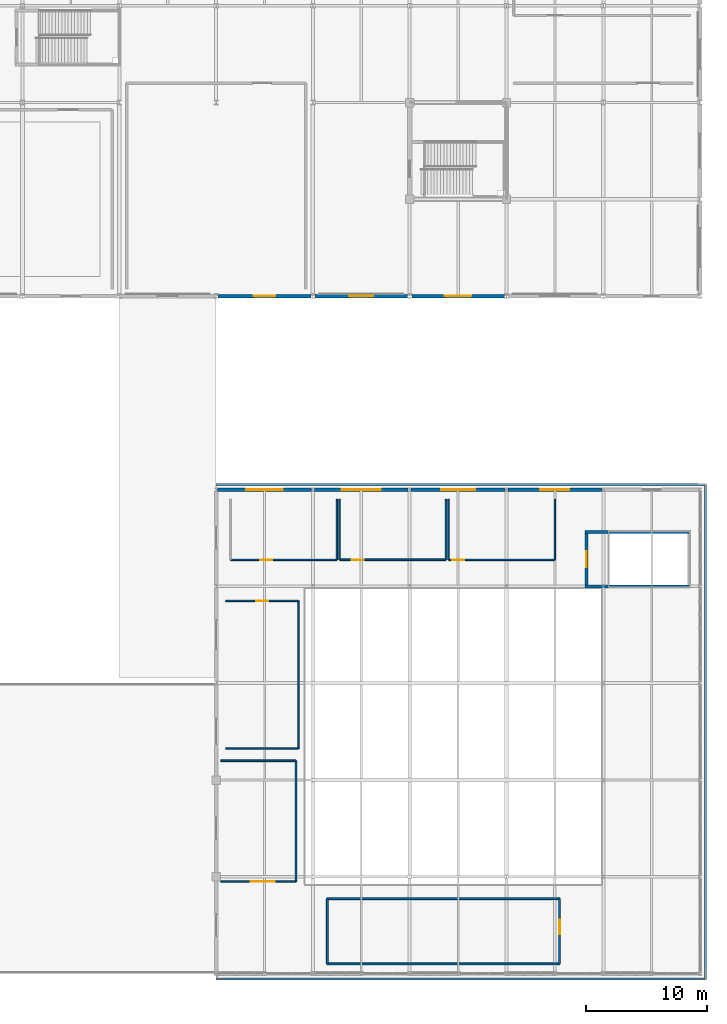
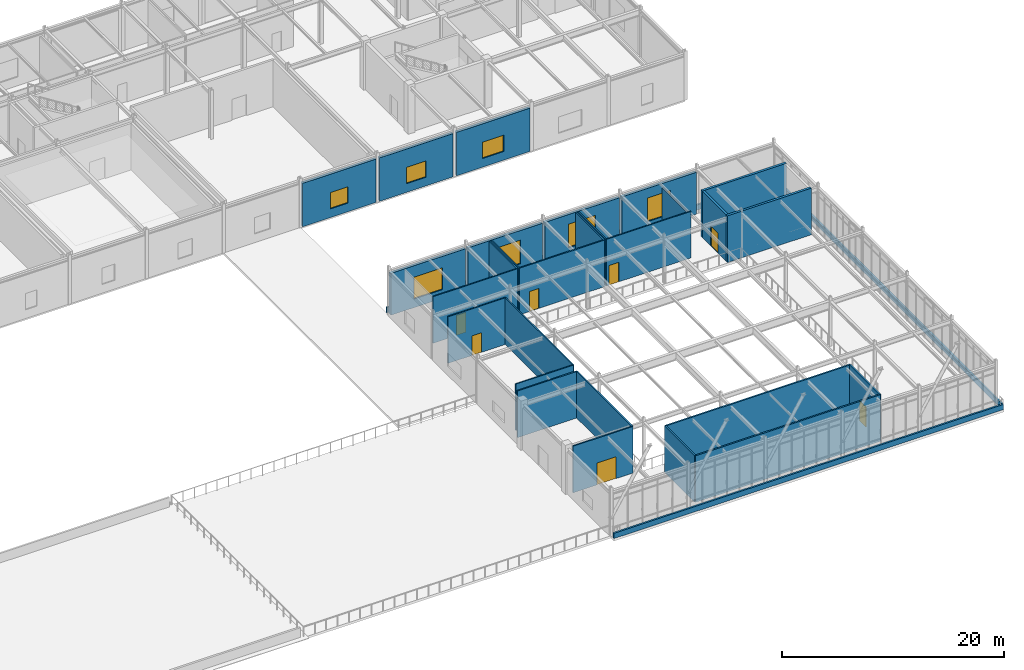
# One storey, part 94 of 108: 31 walls, 7 doors, 7 windows, 14 openings.
"""IFC4 building model written with IfcOpenShell, lengths in metres."""

from ifc_helpers import new_model, si_unit, direction, frame, frame_2d, origin, place, context, subcontext, project, spatial, rectangle, extrude, material, layer, layer_set, type_object, element, fill, save


model = new_model("IFC4")

# Units and contexts
model_context = context("Model", 3, precision=1e-05, world=origin(), true_north=direction((0.0, 1.0)))
body_context = subcontext(model_context, "Body", "Model", "MODEL_VIEW")
ifc_project = project(units=[si_unit("LENGTHUNIT", "METRE"), si_unit("AREAUNIT", "SQUARE_METRE"), si_unit("VOLUMEUNIT", "CUBIC_METRE"), si_unit("PLANEANGLEUNIT", "RADIAN"), si_unit("MASSUNIT", "GRAM", prefix="KILO")], contexts=[model_context])

# Site, building, storey
site_placement = place(None, origin())
site = spatial("IfcSite", under=ifc_project, at=site_placement, CompositionType="ELEMENT")
building_placement = place(site_placement, origin())
building = spatial("IfcBuilding", under=site, at=building_placement, Name="Zhaolan Boulevard Law Courts", CompositionType="ELEMENT")
storey_placement = place(building_placement, frame((0.0, 0.0, 10.800048828125)))
storey = spatial("IfcBuildingStorey", under=building, at=storey_placement, Name="L02", CompositionType="ELEMENT", Elevation=10.800048828125)

# Walls
ifc_material_1 = material(Name="Concrete C40", Category="concrete")
ifc_layer_1 = layer(ifc_material_1, 0.179931640625)
ifc_layer_set_1 = layer_set([ifc_layer_1])
wall_type_1 = type_object("IfcWallType", Name="EXT WALL ARCH CLAD180", PredefinedType="SOLIDWALL", material=ifc_layer_set_1)
wall_1_placement = place(storey_placement, frame((124.0, 5.56005859375, 0.0), z_axis=(0.0, 0.0, 1.0), x_axis=(1.0, 0.0, 0.0)))
element("IfcWall", 1, at=wall_1_placement, inside=storey, type_object=wall_type_1, Name="Architectural Concrete Spandrel Band CBW-003", PredefinedType="SOLIDWALL", context=body_context, shape_type="SweptSolid", body=[
    extrude(rectangle(XDim=40.43994140625, YDim=0.179931640625, at=frame_2d((20.219970703125, 0.0))), origin(), (0.0, 0.0, 1.0), 0.579833984375),
])
wall_2_placement = place(storey_placement, frame((164.43994140625, 5.56005859375, 0.0), z_axis=(0.0, 0.0, 1.0), x_axis=(0.0, 1.0, 0.0)))
element("IfcWall", 2, at=wall_2_placement, inside=storey, type_object=wall_type_1, Name="Architectural Concrete Spandrel Band CBW-006", PredefinedType="SOLIDWALL", context=body_context, shape_type="SweptSolid", body=[
    extrude(rectangle(XDim=40.8798828125, YDim=0.179931640625, at=frame_2d((20.43994140625, 0.0))), origin(), (0.0, 0.0, 1.0), 0.579833984375),
])
wall_3_placement = place(storey_placement, frame((164.43994140625, 46.43994140625, 0.0), z_axis=(0.0, 0.0, 1.0), x_axis=(-1.0, 0.0, 0.0)))
element("IfcWall", 3, at=wall_3_placement, inside=storey, type_object=wall_type_1, Name="Architectural Concrete Spandrel Band CBW-009", PredefinedType="SOLIDWALL", context=body_context, shape_type="SweptSolid", body=[
    extrude(rectangle(XDim=40.43994140625, YDim=0.179931640625, at=frame_2d((20.219970703125, 0.0))), origin(), (0.0, 0.0, 1.0), 0.579833984375),
])

# Wall, opening, window
ifc_material_2 = material(Name="Concrete C40", Category="concrete")
ifc_layer_2 = layer(ifc_material_2, 0.300048828125)
ifc_layer_set_2 = layer_set([ifc_layer_2])
wall_type_2 = type_object("IfcWallType", Name="EXT WALL CONCRETE300", PredefinedType="SOLIDWALL", material=ifc_layer_set_2)
wall_4_placement = place(storey_placement, frame((131.87890625, 46.0, 0.0), z_axis=(0.0, 0.0, 1.0), x_axis=(-1.0, 0.0, 0.0)))
wall_4 = element("IfcWall", 4, at=wall_4_placement, inside=storey, type_object=wall_type_2, Name="Exterior Wall EW-L02-163", PredefinedType="SOLIDWALL", context=body_context, shape_type="SweptSolid", body=[
    extrude(rectangle(XDim=7.7578125, YDim=0.300048828125, at=frame_2d((3.87890625, 0.0))), origin(), (0.0, 0.0, 1.0), 4.60302734375),
])
opening_1_placement = place(wall_4_placement, frame((2.37890625, 0.0, 0.949951171875)))
opening_1 = element("IfcOpeningElement", 5, at=opening_1_placement, cuts=wall_4, Name="Opening WIN-L02-024", PredefinedType="OPENING", context=body_context, shape_type="SweptSolid", body=[
    extrude(rectangle(XDim=3.0, YDim=2.39990234375, at=frame_2d((1.5, 1.199951171875))), frame((0.0, 0.159912109375, 0.0), z_axis=(0.0, -1.0, 0.0), x_axis=(1.0, 0.0, 0.0)), (0.0, 0.0, 1.0), 0.320068359375),
])
ifc_material_3 = material(Name="Thermally broken aluminium and low-E glazing", Category="aluminium")
window_type_1 = type_object("IfcWindowType", Name="WINDOW 3000X2400", PartitioningType="DOUBLE_PANEL_VERTICAL", PredefinedType="WINDOW", material=ifc_material_3)
window_1_placement = place(opening_1_placement, origin())
window_1 = element("IfcWindow", 6, at=window_1_placement, inside=storey, type_object=window_type_1, Name="Exterior Window WIN-L02-024", OverallHeight=2.39990234375, OverallWidth=3.0, PartitioningType="SINGLE_PANEL", PredefinedType="WINDOW", context=body_context, shape_type="SweptSolid", body=[
    extrude(rectangle(XDim=3.0, YDim=2.39990234375, at=frame_2d((1.5, 1.199951171875))), frame((0.0, 0.030029296875, 0.0), z_axis=(0.0, -1.0, 0.0), x_axis=(1.0, 0.0, 0.0)), (0.0, 0.0, 1.0), 0.06005859375),
])
fill(opening_1, window_1)

wall_5_placement = place(storey_placement, frame((139.87890625, 46.0, 0.0), z_axis=(0.0, 0.0, 1.0), x_axis=(-1.0, 0.0, 0.0)))
wall_5 = element("IfcWall", 7, at=wall_5_placement, inside=storey, type_object=wall_type_2, Name="Exterior Wall EW-L02-164", PredefinedType="SOLIDWALL", context=body_context, shape_type="SweptSolid", body=[
    extrude(rectangle(XDim=7.7578125, YDim=0.300048828125, at=frame_2d((3.87890625, 0.0))), origin(), (0.0, 0.0, 1.0), 4.60302734375),
])
opening_2_placement = place(wall_5_placement, frame((2.279052734375, 0.0, 0.949951171875)))
opening_2 = element("IfcOpeningElement", 8, at=opening_2_placement, cuts=wall_5, Name="Opening WIN-L02-025", PredefinedType="OPENING", context=body_context, shape_type="SweptSolid", body=[
    extrude(rectangle(XDim=3.199951171875, YDim=2.60009765625, at=frame_2d((1.60009765625, 1.300048828125))), frame((0.0, 0.159912109375, 0.0), z_axis=(0.0, -1.0, 0.0), x_axis=(1.0, 0.0, 0.0)), (0.0, 0.0, 1.0), 0.320068359375),
])
ifc_material_4 = material(Name="Thermally broken aluminium and low-E glazing", Category="aluminium")
window_type_2 = type_object("IfcWindowType", Name="WINDOW 3200X2600", PartitioningType="DOUBLE_PANEL_VERTICAL", PredefinedType="WINDOW", material=ifc_material_4)
window_2_placement = place(opening_2_placement, origin())
window_2 = element("IfcWindow", 9, at=window_2_placement, inside=storey, type_object=window_type_2, Name="Exterior Window WIN-L02-025", OverallHeight=2.60009765625, OverallWidth=3.199951171875, PartitioningType="SINGLE_PANEL", PredefinedType="WINDOW", context=body_context, shape_type="SweptSolid", body=[
    extrude(rectangle(XDim=3.199951171875, YDim=2.60009765625, at=frame_2d((1.60009765625, 1.300048828125))), frame((0.0, 0.030029296875, 0.0), z_axis=(0.0, -1.0, 0.0), x_axis=(1.0, 0.0, 0.0)), (0.0, 0.0, 1.0), 0.06005859375),
])
fill(opening_2, window_2)

wall_6_placement = place(storey_placement, frame((147.87890625, 46.0, 0.0), z_axis=(0.0, 0.0, 1.0), x_axis=(-1.0, 0.0, 0.0)))
wall_6 = element("IfcWall", 10, at=wall_6_placement, inside=storey, type_object=wall_type_2, Name="Exterior Wall EW-L02-165", PredefinedType="SOLIDWALL", context=body_context, shape_type="SweptSolid", body=[
    extrude(rectangle(XDim=7.7578125, YDim=0.300048828125, at=frame_2d((3.87890625, 0.0))), origin(), (0.0, 0.0, 1.0), 4.60302734375),
])
opening_3_placement = place(wall_6_placement, frame((2.47900390625, 0.0, 0.949951171875)))
opening_3 = element("IfcOpeningElement", 11, at=opening_3_placement, cuts=wall_6, Name="Opening WIN-L02-026", PredefinedType="OPENING", context=body_context, shape_type="SweptSolid", body=[
    extrude(rectangle(XDim=2.800048828125, YDim=2.60009765625, at=frame_2d((1.39990234375, 1.300048828125))), frame((0.0, 0.159912109375, 0.0), z_axis=(0.0, -1.0, 0.0), x_axis=(1.0, 0.0, 0.0)), (0.0, 0.0, 1.0), 0.320068359375),
])
ifc_material_5 = material(Name="Thermally broken aluminium and low-E glazing", Category="aluminium")
window_type_3 = type_object("IfcWindowType", Name="WINDOW 2800X2600", PartitioningType="DOUBLE_PANEL_VERTICAL", PredefinedType="WINDOW", material=ifc_material_5)
window_3_placement = place(opening_3_placement, origin())
window_3 = element("IfcWindow", 12, at=window_3_placement, inside=storey, type_object=window_type_3, Name="Exterior Window WIN-L02-026", OverallHeight=2.60009765625, OverallWidth=2.800048828125, PartitioningType="SINGLE_PANEL", PredefinedType="WINDOW", context=body_context, shape_type="SweptSolid", body=[
    extrude(rectangle(XDim=2.800048828125, YDim=2.60009765625, at=frame_2d((1.39990234375, 1.300048828125))), frame((0.0, 0.030029296875, 0.0), z_axis=(0.0, -1.0, 0.0), x_axis=(1.0, 0.0, 0.0)), (0.0, 0.0, 1.0), 0.06005859375),
])
fill(opening_3, window_3)

wall_7_placement = place(storey_placement, frame((155.87890625, 46.0, 0.0), z_axis=(0.0, 0.0, 1.0), x_axis=(-1.0, 0.0, 0.0)))
wall_7 = element("IfcWall", 13, at=wall_7_placement, inside=storey, type_object=wall_type_2, Name="Exterior Wall EW-L02-166", PredefinedType="SOLIDWALL", context=body_context, shape_type="SweptSolid", body=[
    extrude(rectangle(XDim=7.7578125, YDim=0.300048828125, at=frame_2d((3.87890625, 0.0))), origin(), (0.0, 0.0, 1.0), 4.60302734375),
])
opening_4_placement = place(wall_7_placement, frame((2.678955078125, 0.0, 0.949951171875)))
opening_4 = element("IfcOpeningElement", 14, at=opening_4_placement, cuts=wall_7, Name="Opening WIN-L02-027", PredefinedType="OPENING", context=body_context, shape_type="SweptSolid", body=[
    extrude(rectangle(XDim=2.39990234375, YDim=2.60009765625, at=frame_2d((1.199951171875, 1.300048828125))), frame((0.0, 0.159912109375, 0.0), z_axis=(0.0, -1.0, 0.0), x_axis=(1.0, 0.0, 0.0)), (0.0, 0.0, 1.0), 0.320068359375),
])
ifc_material_6 = material(Name="Thermally broken aluminium and low-E glazing", Category="aluminium")
window_type_4 = type_object("IfcWindowType", Name="WINDOW 2400X2600", PartitioningType="DOUBLE_PANEL_VERTICAL", PredefinedType="WINDOW", material=ifc_material_6)
window_4_placement = place(opening_4_placement, origin())
window_4 = element("IfcWindow", 15, at=window_4_placement, inside=storey, type_object=window_type_4, Name="Exterior Window WIN-L02-027", OverallHeight=2.60009765625, OverallWidth=2.39990234375, PartitioningType="SINGLE_PANEL", PredefinedType="WINDOW", context=body_context, shape_type="SweptSolid", body=[
    extrude(rectangle(XDim=2.39990234375, YDim=2.60009765625, at=frame_2d((1.199951171875, 1.300048828125))), frame((0.0, 0.030029296875, 0.0), z_axis=(0.0, -1.0, 0.0), x_axis=(1.0, 0.0, 0.0)), (0.0, 0.0, 1.0), 0.06005859375),
])
fill(opening_4, window_4)

wall_8_placement = place(storey_placement, frame((124.1708984375, 62.0, 0.0), z_axis=(0.0, 0.0, 1.0), x_axis=(1.0, 0.0, 0.0)))
wall_8 = element("IfcWall", 16, at=wall_8_placement, inside=storey, type_object=wall_type_2, Name="Exterior Wall EW-L02-245", PredefinedType="SOLIDWALL", context=body_context, shape_type="SweptSolid", body=[
    extrude(rectangle(XDim=7.658203125, YDim=0.300048828125, at=frame_2d((3.8291015625, 0.0))), origin(), (0.0, 0.0, 1.0), 4.762939453125),
])
opening_5_placement = place(wall_8_placement, frame((2.928955078125, 0.0, 0.949951171875)))
opening_5 = element("IfcOpeningElement", 17, at=opening_5_placement, cuts=wall_8, Name="Opening WIN-L02-102", PredefinedType="OPENING", context=body_context, shape_type="SweptSolid", body=[
    extrude(rectangle(XDim=1.800048828125, YDim=1.800048828125, at=frame_2d((0.89990234375, 0.89990234375))), frame((0.0, 0.159912109375, 0.0), z_axis=(0.0, -1.0, 0.0), x_axis=(1.0, 0.0, 0.0)), (0.0, 0.0, 1.0), 0.320068359375),
])
ifc_material_7 = material(Name="Thermally broken aluminium and low-E glazing", Category="aluminium")
window_type_5 = type_object("IfcWindowType", Name="WINDOW 1800X1800", PartitioningType="DOUBLE_PANEL_VERTICAL", PredefinedType="WINDOW", material=ifc_material_7)
window_5_placement = place(opening_5_placement, origin())
window_5 = element("IfcWindow", 18, at=window_5_placement, inside=storey, type_object=window_type_5, Name="Exterior Window WIN-L02-102", OverallHeight=1.800048828125, OverallWidth=1.800048828125, PartitioningType="SINGLE_PANEL", PredefinedType="WINDOW", context=body_context, shape_type="SweptSolid", body=[
    extrude(rectangle(XDim=1.800048828125, YDim=1.800048828125, at=frame_2d((0.89990234375, 0.89990234375))), frame((0.0, 0.030029296875, 0.0), z_axis=(0.0, -1.0, 0.0), x_axis=(1.0, 0.0, 0.0)), (0.0, 0.0, 1.0), 0.06005859375),
])
fill(opening_5, window_5)

wall_9_placement = place(storey_placement, frame((132.1708984375, 62.0, 0.0), z_axis=(0.0, 0.0, 1.0), x_axis=(1.0, 0.0, 0.0)))
wall_9 = element("IfcWall", 19, at=wall_9_placement, inside=storey, type_object=wall_type_2, Name="Exterior Wall EW-L02-246", PredefinedType="SOLIDWALL", context=body_context, shape_type="SweptSolid", body=[
    extrude(rectangle(XDim=7.658203125, YDim=0.300048828125, at=frame_2d((3.8291015625, 0.0))), origin(), (0.0, 0.0, 1.0), 4.762939453125),
])
opening_6_placement = place(wall_9_placement, frame((2.8291015625, 0.0, 0.949951171875)))
opening_6 = element("IfcOpeningElement", 20, at=opening_6_placement, cuts=wall_9, Name="Opening WIN-L02-103", PredefinedType="OPENING", context=body_context, shape_type="SweptSolid", body=[
    extrude(rectangle(XDim=2.0, YDim=1.800048828125, at=frame_2d((1.0, 0.89990234375))), frame((0.0, 0.159912109375, 0.0), z_axis=(0.0, -1.0, 0.0), x_axis=(1.0, 0.0, 0.0)), (0.0, 0.0, 1.0), 0.320068359375),
])
ifc_material_8 = material(Name="Thermally broken aluminium and low-E glazing", Category="aluminium")
window_type_6 = type_object("IfcWindowType", Name="WINDOW 2000X1800", PartitioningType="DOUBLE_PANEL_VERTICAL", PredefinedType="WINDOW", material=ifc_material_8)
window_6_placement = place(opening_6_placement, origin())
window_6 = element("IfcWindow", 21, at=window_6_placement, inside=storey, type_object=window_type_6, Name="Exterior Window WIN-L02-103", OverallHeight=1.800048828125, OverallWidth=2.0, PartitioningType="SINGLE_PANEL", PredefinedType="WINDOW", context=body_context, shape_type="SweptSolid", body=[
    extrude(rectangle(XDim=2.0, YDim=1.800048828125, at=frame_2d((1.0, 0.89990234375))), frame((0.0, 0.030029296875, 0.0), z_axis=(0.0, -1.0, 0.0), x_axis=(1.0, 0.0, 0.0)), (0.0, 0.0, 1.0), 0.06005859375),
])
fill(opening_6, window_6)

wall_10_placement = place(storey_placement, frame((140.1708984375, 62.0, 0.0), z_axis=(0.0, 0.0, 1.0), x_axis=(1.0, 0.0, 0.0)))
wall_10 = element("IfcWall", 22, at=wall_10_placement, inside=storey, type_object=wall_type_2, Name="Exterior Wall EW-L02-247", PredefinedType="SOLIDWALL", context=body_context, shape_type="SweptSolid", body=[
    extrude(rectangle(XDim=7.658203125, YDim=0.300048828125, at=frame_2d((3.8291015625, 0.0))), origin(), (0.0, 0.0, 1.0), 4.762939453125),
])
opening_7_placement = place(wall_10_placement, frame((2.72900390625, 0.0, 0.949951171875)))
opening_7 = element("IfcOpeningElement", 23, at=opening_7_placement, cuts=wall_10, Name="Opening WIN-L02-104", PredefinedType="OPENING", context=body_context, shape_type="SweptSolid", body=[
    extrude(rectangle(XDim=2.199951171875, YDim=1.800048828125, at=frame_2d((1.10009765625, 0.89990234375))), frame((0.0, 0.159912109375, 0.0), z_axis=(0.0, -1.0, 0.0), x_axis=(1.0, 0.0, 0.0)), (0.0, 0.0, 1.0), 0.320068359375),
])
ifc_material_9 = material(Name="Thermally broken aluminium and low-E glazing", Category="aluminium")
window_type_7 = type_object("IfcWindowType", Name="WINDOW 2200X1800", PartitioningType="DOUBLE_PANEL_VERTICAL", PredefinedType="WINDOW", material=ifc_material_9)
window_7_placement = place(opening_7_placement, origin())
window_7 = element("IfcWindow", 24, at=window_7_placement, inside=storey, type_object=window_type_7, Name="Exterior Window WIN-L02-104", OverallHeight=1.800048828125, OverallWidth=2.199951171875, PartitioningType="SINGLE_PANEL", PredefinedType="WINDOW", context=body_context, shape_type="SweptSolid", body=[
    extrude(rectangle(XDim=2.199951171875, YDim=1.800048828125, at=frame_2d((1.10009765625, 0.89990234375))), frame((0.0, 0.030029296875, 0.0), z_axis=(0.0, -1.0, 0.0), x_axis=(1.0, 0.0, 0.0)), (0.0, 0.0, 1.0), 0.06005859375),
])
fill(opening_7, window_7)

# Walls
ifc_material_10 = material(Name="Fire-rated gypsum stud partition")
ifc_layer_3 = layer(ifc_material_10, 0.159912109375)
ifc_layer_set_3 = layer_set([ifc_layer_3])
wall_type_3 = type_object("IfcWallType", Name="PART WALL CHAMB160", PredefinedType="PARTITIONING", material=ifc_layer_set_3)
for number, where, z_axis, x_axis, name in (
    (25, (133.199951171875, 6.800048828125, 0.0), (0.0, 0.0, 1.0), (1.0, 0.0, 0.0), "Interior Partition PW-L02-436"),
    (26, (152.39990234375, 12.199951171875, 0.0), (0.0, 0.0, 1.0), (-1.0, 0.0, 0.0), "Interior Partition PW-L02-437"),
):
    element("IfcWall", number, at=place(storey_placement, frame(where, z_axis=z_axis, x_axis=x_axis)), inside=storey, type_object=wall_type_3, Name=name, PredefinedType="PARTITIONING", context=body_context, shape_type="SweptSolid", body=[
        extrude(rectangle(XDim=19.199951171875, YDim=0.159912109375, at=frame_2d((9.60009765625, 0.0))), origin(), (0.0, 0.0, 1.0), 5.119873046875),
    ])
wall_11_placement = place(storey_placement, frame((133.199951171875, 12.199951171875, 0.0), z_axis=(0.0, 0.0, 1.0), x_axis=(0.0, -1.0, 0.0)))
element("IfcWall", 27, at=wall_11_placement, inside=storey, type_object=wall_type_3, Name="Interior Partition PW-L02-438", PredefinedType="PARTITIONING", context=body_context, shape_type="SweptSolid", body=[
    extrude(rectangle(XDim=5.39990234375, YDim=0.159912109375, at=frame_2d((2.699951171875, 0.0))), origin(), (0.0, 0.0, 1.0), 5.119873046875),
])

# Wall, opening, door
wall_12_placement = place(storey_placement, frame((152.39990234375, 6.800048828125, 0.0), z_axis=(0.0, 0.0, 1.0), x_axis=(0.0, 1.0, 0.0)))
wall_12 = element("IfcWall", 28, at=wall_12_placement, inside=storey, type_object=wall_type_3, Name="Interior Partition PW-L02-439", PredefinedType="PARTITIONING", context=body_context, shape_type="SweptSolid", body=[
    extrude(rectangle(XDim=5.39990234375, YDim=0.159912109375, at=frame_2d((2.699951171875, 0.0))), origin(), (0.0, 0.0, 1.0), 5.119873046875),
])
opening_8_placement = place(wall_12_placement, frame((2.4599609375, 0.0, 0.0)))
opening_8 = element("IfcOpeningElement", 29, at=opening_8_placement, cuts=wall_12, Name="Opening MD-L02-135", PredefinedType="OPENING", context=body_context, shape_type="SweptSolid", body=[
    extrude(rectangle(XDim=1.199951171875, YDim=2.199951171875, at=frame_2d((0.60009765625, 1.10009765625))), frame((0.0, 0.08984375, 0.0), z_axis=(0.0, -1.0, 0.0), x_axis=(1.0, 0.0, 0.0)), (0.0, 0.0, 1.0), 0.179931640625),
])
ifc_material_11 = material(Name="Solid-core acoustic oak veneer door")
door_type_1 = type_object("IfcDoorType", Name="MED DOOR 1200X2200 L", OperationType="SINGLE_SWING_LEFT", PredefinedType="DOOR", material=ifc_material_11)
door_1_placement = place(opening_8_placement, origin())
door_1 = element("IfcDoor", 30, at=door_1_placement, inside=storey, type_object=door_type_1, Name="Door MD-L02-135 (Ceremonial Interpretation Room)", OperationType="SINGLE_SWING_LEFT", OverallHeight=2.199951171875, OverallWidth=1.199951171875, PredefinedType="DOOR", context=body_context, shape_type="SweptSolid", body=[
    extrude(rectangle(XDim=1.199951171875, YDim=2.199951171875, at=frame_2d((0.60009765625, 1.10009765625))), frame((0.0, 0.02490234375, 0.0), z_axis=(0.0, -1.0, 0.0), x_axis=(1.0, 0.0, 0.0)), (0.0, 0.0, 1.0), 0.050048828125),
])
fill(opening_8, door_1)

ifc_material_12 = material(Name="Gypsum board stud partition")
ifc_layer_4 = layer(ifc_material_12, 0.1201171875)
ifc_layer_set_4 = layer_set([ifc_layer_4])
wall_type_4 = type_object("IfcWallType", Name="PART WALL LIGHT120", PredefinedType="PARTITIONING", material=ifc_layer_set_4)
wall_13_placement = place(storey_placement, frame((125.199951171875, 40.199951171875, 0.0), z_axis=(0.0, 0.0, 1.0), x_axis=(1.0, 0.0, 0.0)))
wall_13 = element("IfcWall", 31, at=wall_13_placement, inside=storey, type_object=wall_type_4, Name="Interior Partition PW-L02-440", PredefinedType="PARTITIONING", context=body_context, shape_type="SweptSolid", body=[
    extrude(rectangle(XDim=8.787109375, YDim=0.1201171875, at=frame_2d((4.3935546875, 0.0))), origin(), (0.0, 0.0, 1.0), 5.119873046875),
])
opening_9_placement = place(wall_13_placement, frame((2.4560546875, 0.0, 0.0)))
opening_9 = element("IfcOpeningElement", 32, at=opening_9_placement, cuts=wall_13, Name="Opening JD-L02-136", PredefinedType="OPENING", context=body_context, shape_type="SweptSolid", body=[
    extrude(rectangle(XDim=1.0, YDim=2.199951171875, at=frame_2d((0.5, 1.10009765625))), frame((0.0, 0.070068359375, 0.0), z_axis=(0.0, -1.0, 0.0), x_axis=(1.0, 0.0, 0.0)), (0.0, 0.0, 1.0), 0.14013671875),
])
ifc_material_13 = material(Name="Solid-core acoustic oak veneer door")
door_type_2 = type_object("IfcDoorType", Name="CHAMBER DOOR 1000X2200 L", OperationType="SINGLE_SWING_LEFT", PredefinedType="DOOR", material=ifc_material_13)
door_2_placement = place(opening_9_placement, origin())
door_2 = element("IfcDoor", 33, at=door_2_placement, inside=storey, type_object=door_type_2, Name="Door JD-L02-136 (Judges' Chambers L02-01)", OperationType="SINGLE_SWING_LEFT", OverallHeight=2.199951171875, OverallWidth=1.0, PredefinedType="DOOR", context=body_context, shape_type="SweptSolid", body=[
    extrude(rectangle(XDim=1.0, YDim=2.199951171875, at=frame_2d((0.5, 1.10009765625))), frame((0.0, 0.02490234375, 0.0), z_axis=(0.0, -1.0, 0.0), x_axis=(1.0, 0.0, 0.0)), (0.0, 0.0, 1.0), 0.050048828125),
])
fill(opening_9, door_2)

# Wall
wall_14_placement = place(storey_placement, frame((133.987060546875, 40.199951171875, 0.0), z_axis=(0.0, 0.0, 1.0), x_axis=(0.0, 1.0, 0.0)))
element("IfcWall", 34, at=wall_14_placement, inside=storey, type_object=wall_type_4, Name="Interior Partition PW-L02-442", PredefinedType="PARTITIONING", context=body_context, shape_type="SweptSolid", body=[
    extrude(rectangle(XDim=5.0, YDim=0.1201171875, at=frame_2d((2.5, 0.0))), origin(), (0.0, 0.0, 1.0), 5.119873046875),
])

# Wall, opening, door
wall_15_placement = place(storey_placement, frame((143.212890625, 40.199951171875, 0.0), z_axis=(0.0, 0.0, 1.0), x_axis=(1.0, 0.0, 0.0)))
wall_15 = element("IfcWall", 35, at=wall_15_placement, inside=storey, type_object=wall_type_4, Name="Interior Partition PW-L02-446", PredefinedType="PARTITIONING", context=body_context, shape_type="SweptSolid", body=[
    extrude(rectangle(XDim=8.787109375, YDim=0.1201171875, at=frame_2d((4.3935546875, 0.0))), origin(), (0.0, 0.0, 1.0), 5.119873046875),
])
opening_10_placement = place(wall_15_placement, frame((0.300048828125, 0.0, 0.0)))
opening_10 = element("IfcOpeningElement", 36, at=opening_10_placement, cuts=wall_15, Name="Opening JD-L02-138", PredefinedType="OPENING", context=body_context, shape_type="SweptSolid", body=[
    extrude(rectangle(XDim=1.0, YDim=2.14990234375, at=frame_2d((0.5, 1.074951171875))), frame((0.0, 0.070068359375, 0.0), z_axis=(0.0, -1.0, 0.0), x_axis=(1.0, 0.0, 0.0)), (0.0, 0.0, 1.0), 0.14013671875),
])
ifc_material_14 = material(Name="Solid-core acoustic oak veneer door")
door_type_3 = type_object("IfcDoorType", Name="CHAMBER DOOR 1000X2150 L", OperationType="SINGLE_SWING_LEFT", PredefinedType="DOOR", material=ifc_material_14)
door_3_placement = place(opening_10_placement, origin())
door_3 = element("IfcDoor", 37, at=door_3_placement, inside=storey, type_object=door_type_3, Name="Door JD-L02-138 (Judges' Chambers L02-03)", OperationType="SINGLE_SWING_LEFT", OverallHeight=2.14990234375, OverallWidth=1.0, PredefinedType="DOOR", context=body_context, shape_type="SweptSolid", body=[
    extrude(rectangle(XDim=1.0, YDim=2.14990234375, at=frame_2d((0.5, 1.074951171875))), frame((0.0, 0.02490234375, 0.0), z_axis=(0.0, -1.0, 0.0), x_axis=(1.0, 0.0, 0.0)), (0.0, 0.0, 1.0), 0.050048828125),
])
fill(opening_10, door_3)

# Walls
wall_16_placement = place(storey_placement, frame((143.212890625, 45.199951171875, 0.0), z_axis=(0.0, 0.0, 1.0), x_axis=(0.0, -1.0, 0.0)))
element("IfcWall", 38, at=wall_16_placement, inside=storey, type_object=wall_type_4, Name="Interior Partition PW-L02-447", PredefinedType="PARTITIONING", context=body_context, shape_type="SweptSolid", body=[
    extrude(rectangle(XDim=5.0, YDim=0.1201171875, at=frame_2d((2.5, 0.0))), origin(), (0.0, 0.0, 1.0), 5.119873046875),
])
wall_17_placement = place(storey_placement, frame((152.0, 40.199951171875, 0.0), z_axis=(0.0, 0.0, 1.0), x_axis=(0.0, 1.0, 0.0)))
element("IfcWall", 39, at=wall_17_placement, inside=storey, type_object=wall_type_4, Name="Interior Partition PW-L02-448", PredefinedType="PARTITIONING", context=body_context, shape_type="SweptSolid", body=[
    extrude(rectangle(XDim=5.0, YDim=0.1201171875, at=frame_2d((2.5, 0.0))), origin(), (0.0, 0.0, 1.0), 4.64599609375),
])
wall_18_placement = place(storey_placement, frame((124.800048828125, 24.60009765625, 0.0), z_axis=(0.0, 0.0, 1.0), x_axis=(1.0, 0.0, 0.0)))
element("IfcWall", 40, at=wall_18_placement, inside=storey, type_object=wall_type_4, Name="Interior Partition PW-L02-774", PredefinedType="PARTITIONING", context=body_context, shape_type="SweptSolid", body=[
    extrude(rectangle(XDim=6.0, YDim=0.1201171875, at=frame_2d((3.0, 0.0))), origin(), (0.0, 0.0, 1.0), 5.119873046875),
])

# Wall, opening, door
wall_19_placement = place(storey_placement, frame((130.800048828125, 36.800048828125, 0.0), z_axis=(0.0, 0.0, 1.0), x_axis=(-1.0, 0.0, 0.0)))
wall_19 = element("IfcWall", 41, at=wall_19_placement, inside=storey, type_object=wall_type_4, Name="Interior Partition PW-L02-775", PredefinedType="PARTITIONING", context=body_context, shape_type="SweptSolid", body=[
    extrude(rectangle(XDim=6.0, YDim=0.1201171875, at=frame_2d((3.0, 0.0))), origin(), (0.0, 0.0, 1.0), 5.119873046875),
])
opening_11_placement = place(wall_19_placement, frame((2.510009765625, 0.0, 0.0)))
opening_11 = element("IfcOpeningElement", 42, at=opening_11_placement, cuts=wall_19, Name="Opening JD-L02-243", PredefinedType="OPENING", context=body_context, shape_type="SweptSolid", body=[
    extrude(rectangle(XDim=0.97998046875, YDim=2.14990234375, at=frame_2d((0.489990234375, 1.074951171875))), frame((0.0, 0.070068359375, 0.0), z_axis=(0.0, -1.0, 0.0), x_axis=(1.0, 0.0, 0.0)), (0.0, 0.0, 1.0), 0.14013671875),
])
ifc_material_15 = material(Name="Solid-core acoustic oak veneer door")
door_type_4 = type_object("IfcDoorType", Name="CHAMBER DOOR 980X2150 R", OperationType="SINGLE_SWING_RIGHT", PredefinedType="DOOR", material=ifc_material_15)
door_4_placement = place(opening_11_placement, origin())
door_4 = element("IfcDoor", 43, at=door_4_placement, inside=storey, type_object=door_type_4, Name="Door JD-L02-243 (Ceremonial Clerkship Suite L02)", OperationType="SINGLE_SWING_RIGHT", OverallHeight=2.14990234375, OverallWidth=0.97998046875, PredefinedType="DOOR", context=body_context, shape_type="SweptSolid", body=[
    extrude(rectangle(XDim=0.97998046875, YDim=2.14990234375, at=frame_2d((0.489990234375, 1.074951171875))), frame((0.0, 0.02490234375, 0.0), z_axis=(0.0, -1.0, 0.0), x_axis=(1.0, 0.0, 0.0)), (0.0, 0.0, 1.0), 0.050048828125),
])
fill(opening_11, door_4)

# Wall
wall_20_placement = place(storey_placement, frame((130.800048828125, 24.60009765625, 0.0), z_axis=(0.0, 0.0, 1.0), x_axis=(0.0, 1.0, 0.0)))
element("IfcWall", 44, at=wall_20_placement, inside=storey, type_object=wall_type_4, Name="Interior Partition PW-L02-776", PredefinedType="PARTITIONING", context=body_context, shape_type="SweptSolid", body=[
    extrude(rectangle(XDim=12.199951171875, YDim=0.1201171875, at=frame_2d((6.10009765625, 0.0))), origin(), (0.0, 0.0, 1.0), 5.119873046875),
])

# Wall, opening, door
ifc_material_16 = material(Name="Fire-rated gypsum stud partition")
ifc_layer_5 = layer(ifc_material_16, 0.139892578125)
ifc_layer_set_5 = layer_set([ifc_layer_5])
wall_type_5 = type_object("IfcWallType", Name="PART WALL OFFICE140", PredefinedType="PARTITIONING", material=ifc_layer_set_5)
wall_21_placement = place(storey_placement, frame((134.20703125, 40.199951171875, 0.0), z_axis=(0.0, 0.0, 1.0), x_axis=(1.0, 0.0, 0.0)))
wall_21 = element("IfcWall", 45, at=wall_21_placement, inside=storey, type_object=wall_type_5, Name="Interior Partition PW-L02-443", PredefinedType="PARTITIONING", context=body_context, shape_type="SweptSolid", body=[
    extrude(rectangle(XDim=8.785888671875, YDim=0.139892578125, at=frame_2d((4.39306640625, 0.0))), origin(), (0.0, 0.0, 1.0), 5.119873046875),
])
opening_12_placement = place(wall_21_placement, frame((1.02099609375, 0.0, 0.0)))
opening_12 = element("IfcOpeningElement", 46, at=opening_12_placement, cuts=wall_21, Name="Opening JD-L02-137", PredefinedType="OPENING", context=body_context, shape_type="SweptSolid", body=[
    extrude(rectangle(XDim=0.97998046875, YDim=2.199951171875, at=frame_2d((0.489990234375, 1.10009765625))), frame((0.0, 0.079833984375, 0.0), z_axis=(0.0, -1.0, 0.0), x_axis=(1.0, 0.0, 0.0)), (0.0, 0.0, 1.0), 0.159912109375),
])
ifc_material_17 = material(Name="Solid-core acoustic oak veneer door")
door_type_5 = type_object("IfcDoorType", Name="CHAMBER DOOR 980X2200 R", OperationType="SINGLE_SWING_RIGHT", PredefinedType="DOOR", material=ifc_material_17)
door_5_placement = place(opening_12_placement, origin())
door_5 = element("IfcDoor", 47, at=door_5_placement, inside=storey, type_object=door_type_5, Name="Door JD-L02-137 (Judges' Chambers L02-02)", OperationType="SINGLE_SWING_RIGHT", OverallHeight=2.199951171875, OverallWidth=0.97998046875, PredefinedType="DOOR", context=body_context, shape_type="SweptSolid", body=[
    extrude(rectangle(XDim=0.97998046875, YDim=2.199951171875, at=frame_2d((0.489990234375, 1.10009765625))), frame((0.0, 0.02490234375, 0.0), z_axis=(0.0, -1.0, 0.0), x_axis=(1.0, 0.0, 0.0)), (0.0, 0.0, 1.0), 0.050048828125),
])
fill(opening_12, door_5)

# Walls
for number, where, z_axis, x_axis, name in (
    (48, (134.20703125, 45.199951171875, 0.0), (0.0, 0.0, 1.0), (0.0, -1.0, 0.0), "Interior Partition PW-L02-444"),
    (49, (142.992919921875, 40.199951171875, 0.0), (0.0, 0.0, 1.0), (0.0, 1.0, 0.0), "Interior Partition PW-L02-445"),
):
    element("IfcWall", number, at=place(storey_placement, frame(where, z_axis=z_axis, x_axis=x_axis)), inside=storey, type_object=wall_type_5, Name=name, PredefinedType="PARTITIONING", context=body_context, shape_type="SweptSolid", body=[
        extrude(rectangle(XDim=5.0, YDim=0.139892578125, at=frame_2d((2.5, 0.0))), origin(), (0.0, 0.0, 1.0), 5.119873046875),
    ])

# Wall, opening, door
wall_22_placement = place(storey_placement, frame((124.39990234375, 13.60009765625, 0.0), z_axis=(0.0, 0.0, 1.0), x_axis=(1.0, 0.0, 0.0)))
wall_22 = element("IfcWall", 50, at=wall_22_placement, inside=storey, type_object=wall_type_5, Name="Interior Partition PW-L02-777", PredefinedType="PARTITIONING", context=body_context, shape_type="SweptSolid", body=[
    extrude(rectangle(XDim=6.2001953125, YDim=0.139892578125, at=frame_2d((3.10009765625, 0.0))), origin(), (0.0, 0.0, 1.0), 5.119873046875),
])
opening_13_placement = place(wall_22_placement, frame((2.4599609375, 0.0, 0.0)))
opening_13 = element("IfcOpeningElement", 51, at=opening_13_placement, cuts=wall_22, Name="Opening ID-L02-244", PredefinedType="OPENING", context=body_context, shape_type="SweptSolid", body=[
    extrude(rectangle(XDim=2.0, YDim=2.39990234375, at=frame_2d((1.0, 1.199951171875))), frame((0.0, 0.079833984375, 0.0), z_axis=(0.0, -1.0, 0.0), x_axis=(1.0, 0.0, 0.0)), (0.0, 0.0, 1.0), 0.159912109375),
])
ifc_material_18 = material(Name="Solid-core acoustic oak veneer door")
door_type_6 = type_object("IfcDoorType", Name="HALL DOUBLE 2000X2400", OperationType="DOUBLE_DOOR_SINGLE_SWING", PredefinedType="DOOR", material=ifc_material_18)
door_6_placement = place(opening_13_placement, origin())
door_6 = element("IfcDoor", 52, at=door_6_placement, inside=storey, type_object=door_type_6, Name="Door ID-L02-244 (Ceremonial Terrace Reception Lounge L02)", OperationType="DOUBLE_DOOR_SINGLE_SWING", OverallHeight=2.39990234375, OverallWidth=2.0, PredefinedType="DOOR", context=body_context, shape_type="SweptSolid", body=[
    extrude(rectangle(XDim=2.0, YDim=2.39990234375, at=frame_2d((1.0, 1.199951171875))), frame((0.0, 0.02490234375, 0.0), z_axis=(0.0, -1.0, 0.0), x_axis=(1.0, 0.0, 0.0)), (0.0, 0.0, 1.0), 0.050048828125),
])
fill(opening_13, door_6)

# Walls
wall_23_placement = place(storey_placement, frame((130.60009765625, 23.60009765625, 0.0), z_axis=(0.0, 0.0, 1.0), x_axis=(-1.0, 0.0, 0.0)))
element("IfcWall", 53, at=wall_23_placement, inside=storey, type_object=wall_type_5, Name="Interior Partition PW-L02-778", PredefinedType="PARTITIONING", context=body_context, shape_type="SweptSolid", body=[
    extrude(rectangle(XDim=6.2001953125, YDim=0.139892578125, at=frame_2d((3.10009765625, 0.0))), origin(), (0.0, 0.0, 1.0), 5.119873046875),
])
wall_24_placement = place(storey_placement, frame((130.60009765625, 13.60009765625, 0.0), z_axis=(0.0, 0.0, 1.0), x_axis=(0.0, 1.0, 0.0)))
element("IfcWall", 54, at=wall_24_placement, inside=storey, type_object=wall_type_5, Name="Interior Partition PW-L02-779", PredefinedType="PARTITIONING", context=body_context, shape_type="SweptSolid", body=[
    extrude(rectangle(XDim=10.0, YDim=0.139892578125, at=frame_2d((5.0, 0.0))), origin(), (0.0, 0.0, 1.0), 5.119873046875),
])
ifc_material_19 = material(Name="Concrete C50", Category="concrete")
ifc_layer_6 = layer(ifc_material_19, 0.239990234375)
ifc_layer_set_6 = layer_set([ifc_layer_6])
wall_type_6 = type_object("IfcWallType", Name="STAIR WELL WALL 240", PredefinedType="SHEAR", material=ifc_layer_set_6)
for number, where, z_axis, x_axis, name in (
    (55, (154.47998046875, 38.0, 0.0), (0.0, 0.0, 1.0), (1.0, 0.0, 0.0), "Stairwell Shear Wall ST07-L02S"),
    (56, (163.219970703125, 42.5, 0.0), (0.0, 0.0, 1.0), (-1.0, 0.0, 0.0), "Stairwell Shear Wall ST07-L02N"),
):
    element("IfcWall", number, at=place(storey_placement, frame(where, z_axis=z_axis, x_axis=x_axis)), inside=storey, type_object=wall_type_6, Name=name, PredefinedType="SHEAR", context=body_context, shape_type="SweptSolid", body=[
        extrude(rectangle(XDim=8.739990234375, YDim=0.239990234375, at=frame_2d((4.3701171875, 0.0))), origin(), (0.0, 0.0, 1.0), 5.119873046875),
    ])

# Wall, opening, door
wall_25_placement = place(storey_placement, frame((154.60009765625, 38.1201171875, 0.0), z_axis=(0.0, 0.0, 1.0), x_axis=(0.0, 1.0, 0.0)))
wall_25 = element("IfcWall", 57, at=wall_25_placement, inside=storey, type_object=wall_type_6, Name="Stairwell Shear Wall ST07-L02W", PredefinedType="SHEAR", context=body_context, shape_type="SweptSolid", body=[
    extrude(rectangle(XDim=4.259765625, YDim=0.239990234375, at=frame_2d((2.1298828125, 0.0))), origin(), (0.0, 0.0, 1.0), 5.119873046875),
])
opening_14_placement = place(wall_25_placement, frame((1.455078125, 0.0, 0.0)))
opening_14 = element("IfcOpeningElement", 58, at=opening_14_placement, cuts=wall_25, Name="Opening SD-L02-58", PredefinedType="OPENING", context=body_context, shape_type="SweptSolid", body=[
    extrude(rectangle(XDim=1.35009765625, YDim=2.199951171875, at=frame_2d((0.675048828125, 1.10009765625))), frame((0.0, 0.1298828125, 0.0), z_axis=(0.0, -1.0, 0.0), x_axis=(1.0, 0.0, 0.0)), (0.0, 0.0, 1.0), 0.260009765625),
])
ifc_material_20 = material(Name="Fire-rated steel acoustic door", Category="steel")
door_type_7 = type_object("IfcDoorType", Name="STAIR FIRE 1350X2200 R", OperationType="SINGLE_SWING_RIGHT", PredefinedType="DOOR", material=ifc_material_20)
door_7_placement = place(opening_14_placement, origin())
door_7 = element("IfcDoor", 59, at=door_7_placement, inside=storey, type_object=door_type_7, Name="Smoke-Proof Stairwell Fire Door SD-L02-58", OperationType="SINGLE_SWING_RIGHT", OverallHeight=2.199951171875, OverallWidth=1.35009765625, PredefinedType="DOOR", context=body_context, shape_type="SweptSolid", body=[
    extrude(rectangle(XDim=1.35009765625, YDim=2.199951171875, at=frame_2d((0.675048828125, 1.10009765625))), frame((0.0, 0.02490234375, 0.0), z_axis=(0.0, -1.0, 0.0), x_axis=(1.0, 0.0, 0.0)), (0.0, 0.0, 1.0), 0.050048828125),
])
fill(opening_14, door_7)

save(model, "model.ifc")
